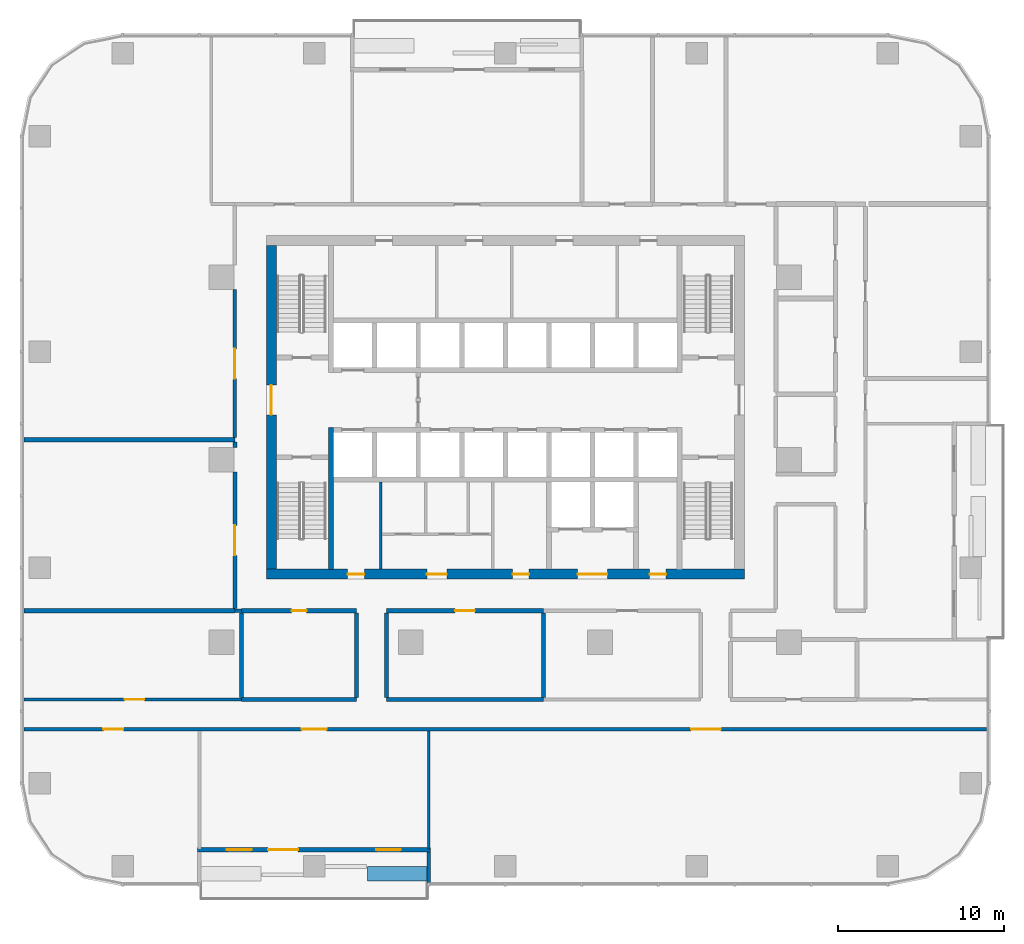
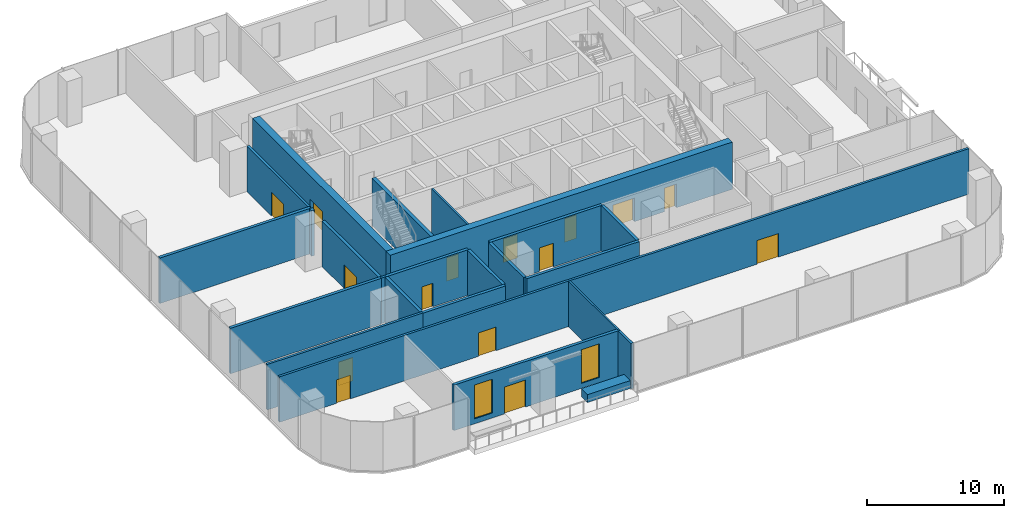
# One storey, part 7 of 14: 24 walls, 15 doors, 2 windows, 17 openings.
"""IFC4 building model written with IfcOpenShell, lengths in metres."""

from ifc_helpers import new_model, si_unit, direction, frame, frame_2d, origin, place, context, subcontext, project, spatial, rectangle, extrude, material, layer, layer_set, type_object, element, fill, save


model = new_model("IFC4")

# Units and contexts
model_context = context("Model", 3, precision=1e-05, world=origin(), true_north=direction((0.0, 1.0)))
body_context = subcontext(model_context, "Body", "Model", "MODEL_VIEW")
ifc_project = project(units=[si_unit("LENGTHUNIT", "METRE"), si_unit("AREAUNIT", "SQUARE_METRE"), si_unit("VOLUMEUNIT", "CUBIC_METRE"), si_unit("PLANEANGLEUNIT", "RADIAN"), si_unit("MASSUNIT", "GRAM", prefix="KILO")], contexts=[model_context])

# Site, building, storey
site_placement = place(None, origin())
site = spatial("IfcSite", under=ifc_project, at=site_placement, CompositionType="ELEMENT")
building_placement = place(site_placement, origin())
building = spatial("IfcBuilding", under=site, at=building_placement, Name="Mopane Tessera Tower", CompositionType="ELEMENT")
storey_placement = place(building_placement, frame((0.0, 0.0, 126.10009765625)))
storey = spatial("IfcBuildingStorey", under=building, at=storey_placement, Name="L25", CompositionType="ELEMENT", Elevation=126.10009765625)

# Wall
ifc_material_1 = material(Name="Fire-rated gypsum board partition")
ifc_layer_1 = layer(ifc_material_1, 0.14990234375)
ifc_layer_set_1 = layer_set([ifc_layer_1], Name="Fire-rated gypsum board partition")
wall_type_1 = type_object("IfcWallType", Name="Core room partition 150 mm", PredefinedType="PARTITIONING", material=ifc_layer_set_1)
wall_1_placement = place(storey_placement, frame((-7.5, -6.60009765625, 0.0), z_axis=(0.0, 0.0, 1.0), x_axis=(0.0, 1.0, 0.0)))
element("IfcWall", 1, at=wall_1_placement, inside=storey, type_object=wall_type_1, Name="L25 Room partition", PredefinedType="PARTITIONING", context=body_context, shape_type="SweptSolid", body=[
    extrude(rectangle(XDim=5.25, YDim=0.14990234375, at=frame_2d((2.625, 0.0))), origin(), (0.0, 0.0, 1.0), 4.199951171875),
])

# Wall, openings, doors
ifc_material_2 = material(Name="Concrete C70/85", Category="concrete")
ifc_layer_2 = layer(ifc_material_2, 0.60009765625)
ifc_layer_set_2 = layer_set([ifc_layer_2], Name="Concrete C70/85")
wall_type_2 = type_object("IfcWallType", Name="Core shear wall 600 mm", PredefinedType="SHEAR", material=ifc_layer_set_2)
wall_2_placement = place(storey_placement, frame((-14.39990234375, -6.89990234375, 0.0), z_axis=(0.0, 0.0, 1.0), x_axis=(1.0, 0.0, 0.0)))
wall_2 = element("IfcWall", 2, at=wall_2_placement, inside=storey, type_object=wall_type_2, Name="L25 Core wall south", PredefinedType="SHEAR", context=body_context, shape_type="SweptSolid", body=[
    extrude(rectangle(XDim=28.7998046875, YDim=0.60009765625, at=frame_2d((14.39990234375, 0.0))), origin(), (0.0, 0.0, 1.0), 4.199951171875),
])
opening_1_placement = place(wall_2_placement, frame((4.89990234375, 0.0, 0.0)))
opening_1 = element("IfcOpeningElement", 3, at=opening_1_placement, cuts=wall_2, Name="Opening RD1", PredefinedType="OPENING", context=body_context, shape_type="SweptSolid", body=[
    extrude(rectangle(XDim=1.0, YDim=2.10009765625, at=frame_2d((0.5, 1.050048828125))), frame((0.0, 0.31201171875, 0.0), z_axis=(0.0, -1.0, 0.0), x_axis=(1.0, 0.0, 0.0)), (0.0, 0.0, 1.0), 0.6240234375),
])
opening_2_placement = place(wall_2_placement, frame((9.675048828125, 0.0, 0.0)))
opening_2 = element("IfcOpeningElement", 4, at=opening_2_placement, cuts=wall_2, Name="Opening WD3", PredefinedType="OPENING", context=body_context, shape_type="SweptSolid", body=[
    extrude(rectangle(XDim=1.199951171875, YDim=2.10009765625, at=frame_2d((0.60009765625, 1.050048828125))), frame((0.0, 0.31201171875, 0.0), z_axis=(0.0, -1.0, 0.0), x_axis=(1.0, 0.0, 0.0)), (0.0, 0.0, 1.0), 0.6240234375),
])
opening_3_placement = place(wall_2_placement, frame((14.83740234375, 0.0, 0.0)))
opening_3 = element("IfcOpeningElement", 5, at=opening_3_placement, cuts=wall_2, Name="Opening RD1", PredefinedType="OPENING", context=body_context, shape_type="SweptSolid", body=[
    extrude(rectangle(XDim=1.0, YDim=2.10009765625, at=frame_2d((0.5, 1.050048828125))), frame((0.0, 0.31201171875, 0.0), z_axis=(0.0, -1.0, 0.0), x_axis=(1.0, 0.0, 0.0)), (0.0, 0.0, 1.0), 0.6240234375),
])
opening_4_placement = place(wall_2_placement, frame((18.75, 0.0, 0.0)))
opening_4 = element("IfcOpeningElement", 6, at=opening_4_placement, cuts=wall_2, Name="Opening SD2", PredefinedType="OPENING", context=body_context, shape_type="SweptSolid", body=[
    extrude(rectangle(XDim=1.800048828125, YDim=2.10009765625, at=frame_2d((0.89990234375, 1.050048828125))), frame((0.0, 0.31201171875, 0.0), z_axis=(0.0, -1.0, 0.0), x_axis=(1.0, 0.0, 0.0)), (0.0, 0.0, 1.0), 0.6240234375),
])
opening_5_placement = place(wall_2_placement, frame((23.08740234375, 0.0, 0.0)))
opening_5 = element("IfcOpeningElement", 7, at=opening_5_placement, cuts=wall_2, Name="Opening RD1", PredefinedType="OPENING", context=body_context, shape_type="SweptSolid", body=[
    extrude(rectangle(XDim=1.0, YDim=2.10009765625, at=frame_2d((0.5, 1.050048828125))), frame((0.0, 0.31201171875, 0.0), z_axis=(0.0, -1.0, 0.0), x_axis=(1.0, 0.0, 0.0)), (0.0, 0.0, 1.0), 0.6240234375),
])
ifc_material_3 = material(Name="Steel fire door", Category="steel")
door_type_1 = type_object("IfcDoorType", Name="Core entrance double door 1800 x 2100", OperationType="DOUBLE_DOOR_SINGLE_SWING", PredefinedType="DOOR", material=ifc_material_3)
door_1_placement = place(opening_4_placement, origin())
door_1 = element("IfcDoor", 8, at=door_1_placement, inside=storey, type_object=door_type_1, Name="L25 Service lobby door", OperationType="DOUBLE_DOOR_SINGLE_SWING", OverallHeight=2.10009765625, OverallWidth=1.800048828125, PredefinedType="DOOR", context=body_context, shape_type="SweptSolid", body=[
    extrude(rectangle(XDim=1.800048828125, YDim=2.10009765625, at=frame_2d((0.89990234375, 1.050048828125))), frame((0.0, 0.02490234375, 0.0), z_axis=(0.0, -1.0, 0.0), x_axis=(1.0, 0.0, 0.0)), (0.0, 0.0, 1.0), 0.050048828125),
])
fill(opening_4, door_1)
ifc_material_4 = material(Name="Timber door", Category="wood")
door_type_2 = type_object("IfcDoorType", Name="Core room door 1000 x 2100", OperationType="SINGLE_SWING_LEFT", PredefinedType="DOOR", material=ifc_material_4)
door_2_placement = place(opening_1_placement, origin())
door_2 = element("IfcDoor", 9, at=door_2_placement, inside=storey, type_object=door_type_2, Name="L25 Room door", OperationType="SINGLE_SWING_LEFT", OverallHeight=2.10009765625, OverallWidth=1.0, PredefinedType="DOOR", context=body_context, shape_type="SweptSolid", body=[
    extrude(rectangle(XDim=1.0, YDim=2.10009765625, at=frame_2d((0.5, 1.050048828125))), frame((0.0, 0.02490234375, 0.0), z_axis=(0.0, -1.0, 0.0), x_axis=(1.0, 0.0, 0.0)), (0.0, 0.0, 1.0), 0.050048828125),
])
fill(opening_1, door_2)
door_3_placement = place(opening_3_placement, origin())
door_3 = element("IfcDoor", 10, at=door_3_placement, inside=storey, type_object=door_type_2, Name="L25 Room door", OperationType="SINGLE_SWING_LEFT", OverallHeight=2.10009765625, OverallWidth=1.0, PredefinedType="DOOR", context=body_context, shape_type="SweptSolid", body=[
    extrude(rectangle(XDim=1.0, YDim=2.10009765625, at=frame_2d((0.5, 1.050048828125))), frame((0.0, 0.02490234375, 0.0), z_axis=(0.0, -1.0, 0.0), x_axis=(1.0, 0.0, 0.0)), (0.0, 0.0, 1.0), 0.050048828125),
])
fill(opening_3, door_3)
door_4_placement = place(opening_5_placement, origin())
door_4 = element("IfcDoor", 11, at=door_4_placement, inside=storey, type_object=door_type_2, Name="L25 Room door", OperationType="SINGLE_SWING_LEFT", OverallHeight=2.10009765625, OverallWidth=1.0, PredefinedType="DOOR", context=body_context, shape_type="SweptSolid", body=[
    extrude(rectangle(XDim=1.0, YDim=2.10009765625, at=frame_2d((0.5, 1.050048828125))), frame((0.0, 0.02490234375, 0.0), z_axis=(0.0, -1.0, 0.0), x_axis=(1.0, 0.0, 0.0)), (0.0, 0.0, 1.0), 0.050048828125),
])
fill(opening_5, door_4)
ifc_material_5 = material(Name="Timber door", Category="wood")
door_type_3 = type_object("IfcDoorType", Name="WC lobby door 1200 x 2100", OperationType="SINGLE_SWING_LEFT", PredefinedType="DOOR", material=ifc_material_5)
door_5_placement = place(opening_2_placement, origin())
door_5 = element("IfcDoor", 12, at=door_5_placement, inside=storey, type_object=door_type_3, Name="L25 WC lobby door", OperationType="SINGLE_SWING_LEFT", OverallHeight=2.10009765625, OverallWidth=1.199951171875, PredefinedType="DOOR", context=body_context, shape_type="SweptSolid", body=[
    extrude(rectangle(XDim=1.199951171875, YDim=2.10009765625, at=frame_2d((0.60009765625, 1.050048828125))), frame((0.0, 0.02490234375, 0.0), z_axis=(0.0, -1.0, 0.0), x_axis=(1.0, 0.0, 0.0)), (0.0, 0.0, 1.0), 0.050048828125),
])
fill(opening_2, door_5)

# Wall, opening, door
wall_3_placement = place(storey_placement, frame((-14.10009765625, -6.60009765625, 0.0), z_axis=(0.0, 0.0, 1.0), x_axis=(0.0, 1.0, 0.0)))
wall_3 = element("IfcWall", 13, at=wall_3_placement, inside=storey, type_object=wall_type_2, Name="L25 Core wall west", PredefinedType="SHEAR", context=body_context, shape_type="SweptSolid", body=[
    extrude(rectangle(XDim=19.5, YDim=0.60009765625, at=frame_2d((9.75, 0.0))), origin(), (0.0, 0.0, 1.0), 4.199951171875),
])
opening_6_placement = place(wall_3_placement, frame((9.300048828125, 0.0, 0.0)))
opening_6 = element("IfcOpeningElement", 14, at=opening_6_placement, cuts=wall_3, Name="Opening SD2", PredefinedType="OPENING", context=body_context, shape_type="SweptSolid", body=[
    extrude(rectangle(XDim=1.800048828125, YDim=2.10009765625, at=frame_2d((0.89990234375, 1.050048828125))), frame((0.0, 0.31201171875, 0.0), z_axis=(0.0, -1.0, 0.0), x_axis=(1.0, 0.0, 0.0)), (0.0, 0.0, 1.0), 0.6240234375),
])
door_6_placement = place(opening_6_placement, origin())
door_6 = element("IfcDoor", 15, at=door_6_placement, inside=storey, type_object=door_type_1, Name="L25 Core entrance door west", OperationType="DOUBLE_DOOR_SINGLE_SWING", OverallHeight=2.10009765625, OverallWidth=1.800048828125, PredefinedType="DOOR", context=body_context, shape_type="SweptSolid", body=[
    extrude(rectangle(XDim=1.800048828125, YDim=2.10009765625, at=frame_2d((0.89990234375, 1.050048828125))), frame((0.0, 0.02490234375, 0.0), z_axis=(0.0, -1.0, 0.0), x_axis=(1.0, 0.0, 0.0)), (0.0, 0.0, 1.0), 0.050048828125),
])
fill(opening_6, door_6)

# Wall
ifc_material_6 = material(Name="Concrete C60/75", Category="concrete")
ifc_layer_3 = layer(ifc_material_6, 0.300048828125)
ifc_layer_set_3 = layer_set([ifc_layer_3], Name="Concrete C60/75")
wall_type_3 = type_object("IfcWallType", Name="Core spine wall 300 mm", PredefinedType="SHEAR", material=ifc_layer_set_3)
wall_4_placement = place(storey_placement, frame((-10.5, -6.60009765625, 0.0), z_axis=(0.0, 0.0, 1.0), x_axis=(0.0, 1.0, 0.0)))
element("IfcWall", 16, at=wall_4_placement, inside=storey, type_object=wall_type_3, Name="L25 Core spine wall", PredefinedType="SHEAR", context=body_context, shape_type="SweptSolid", body=[
    extrude(rectangle(XDim=8.550048828125, YDim=0.300048828125, at=frame_2d((4.27490234375, 0.0))), origin(), (0.0, 0.0, 1.0), 4.199951171875),
])

# Wall, openings, doors
ifc_material_7 = material(Name="Gypsum board on steel studs, two layers each face, mineral wool infill", Category="steel")
ifc_layer_4 = layer(ifc_material_7, 0.199951171875)
ifc_layer_set_4 = layer_set([ifc_layer_4], Name="Gypsum board on steel studs, two layers each face, mineral wool infill")
wall_type_4 = type_object("IfcWallType", Name="Gypsum board corridor wall 200, rated EI 60", PredefinedType="PARTITIONING", material=ifc_layer_set_4)
wall_5_placement = place(storey_placement, frame((-29.0, -16.25, 0.0), z_axis=(0.0, 0.0, 1.0), x_axis=(1.0, 0.0, 0.0)))
wall_5 = element("IfcWall", 17, at=wall_5_placement, inside=storey, type_object=wall_type_4, Name="Partition L25:000", PredefinedType="PARTITIONING", context=body_context, shape_type="SweptSolid", body=[
    extrude(rectangle(XDim=58.0, YDim=0.199951171875, at=frame_2d((29.0, 0.0))), origin(), (0.0, 0.0, 1.0), 4.0498046875),
])
opening_7_placement = place(wall_5_placement, frame((16.72509765625, 0.0, 0.0)))
opening_7 = element("IfcOpeningElement", 18, at=opening_7_placement, cuts=wall_5, Name="Opening L25-02", PredefinedType="OPENING", context=body_context, shape_type="SweptSolid", body=[
    extrude(rectangle(XDim=1.5, YDim=2.10009765625, at=frame_2d((0.75, 1.050048828125))), frame((0.0, 0.112060546875, 0.0), z_axis=(0.0, -1.0, 0.0), x_axis=(1.0, 0.0, 0.0)), (0.0, 0.0, 1.0), 0.223876953125),
])
opening_8_placement = place(wall_5_placement, frame((4.780029296875, 0.0, 0.0)))
opening_8 = element("IfcOpeningElement", 19, at=opening_8_placement, cuts=wall_5, Name="Opening L25-05", PredefinedType="OPENING", context=body_context, shape_type="SweptSolid", body=[
    extrude(rectangle(XDim=1.199951171875, YDim=2.10009765625, at=frame_2d((0.60009765625, 1.050048828125))), frame((0.0, 0.112060546875, 0.0), z_axis=(0.0, -1.0, 0.0), x_axis=(1.0, 0.0, 0.0)), (0.0, 0.0, 1.0), 0.223876953125),
])
opening_9_placement = place(wall_5_placement, frame((40.195068359375, 0.0, 0.0)))
opening_9 = element("IfcOpeningElement", 20, at=opening_9_placement, cuts=wall_5, Name="Opening L25-10", PredefinedType="OPENING", context=body_context, shape_type="SweptSolid", body=[
    extrude(rectangle(XDim=1.800048828125, YDim=2.10009765625, at=frame_2d((0.89990234375, 1.050048828125))), frame((0.0, 0.112060546875, 0.0), z_axis=(0.0, -1.0, 0.0), x_axis=(1.0, 0.0, 0.0)), (0.0, 0.0, 1.0), 0.223876953125),
])
ifc_material_8 = material(Name="Timber veneered steel-framed fire door", Category="steel")
door_type_4 = type_object("IfcDoorType", Name="Fire door FD60 1200 x 2100", OperationType="SINGLE_SWING_LEFT", PredefinedType="DOOR", material=ifc_material_8)
door_7_placement = place(opening_8_placement, origin())
door_7 = element("IfcDoor", 21, at=door_7_placement, inside=storey, type_object=door_type_4, Name="Door L25-05", ObjectType="D15A", OperationType="SINGLE_SWING_LEFT", OverallHeight=2.10009765625, OverallWidth=1.199951171875, PredefinedType="DOOR", context=body_context, shape_type="SweptSolid", body=[
    extrude(rectangle(XDim=1.199951171875, YDim=2.10009765625, at=frame_2d((0.60009765625, 1.050048828125))), frame((0.0, 0.02490234375, 0.0), z_axis=(0.0, -1.0, 0.0), x_axis=(1.0, 0.0, 0.0)), (0.0, 0.0, 1.0), 0.050048828125),
])
fill(opening_8, door_7)
ifc_material_9 = material(Name="Timber veneered steel-framed fire door", Category="steel")
door_type_5 = type_object("IfcDoorType", Name="Fire door pair FD60 1500 x 2100", OperationType="DOUBLE_DOOR_SINGLE_SWING", PredefinedType="DOOR", material=ifc_material_9)
door_8_placement = place(opening_7_placement, origin())
door_8 = element("IfcDoor", 22, at=door_8_placement, inside=storey, type_object=door_type_5, Name="Door L25-02", ObjectType="D17A", OperationType="DOUBLE_DOOR_SINGLE_SWING", OverallHeight=2.10009765625, OverallWidth=1.5, PredefinedType="DOOR", context=body_context, shape_type="SweptSolid", body=[
    extrude(rectangle(XDim=1.5, YDim=2.10009765625, at=frame_2d((0.75, 1.050048828125))), frame((0.0, 0.02490234375, 0.0), z_axis=(0.0, -1.0, 0.0), x_axis=(1.0, 0.0, 0.0)), (0.0, 0.0, 1.0), 0.050048828125),
])
fill(opening_7, door_8)
ifc_material_10 = material(Name="Timber veneered steel-framed fire door", Category="steel")
door_type_6 = type_object("IfcDoorType", Name="Fire door pair FD60 1800 x 2100", OperationType="DOUBLE_DOOR_SINGLE_SWING", PredefinedType="DOOR", material=ifc_material_10)
door_9_placement = place(opening_9_placement, origin())
door_9 = element("IfcDoor", 23, at=door_9_placement, inside=storey, type_object=door_type_6, Name="Door L25-10", ObjectType="D20A", OperationType="DOUBLE_DOOR_SINGLE_SWING", OverallHeight=2.10009765625, OverallWidth=1.800048828125, PredefinedType="DOOR", context=body_context, shape_type="SweptSolid", body=[
    extrude(rectangle(XDim=1.800048828125, YDim=2.10009765625, at=frame_2d((0.89990234375, 1.050048828125))), frame((0.0, 0.02490234375, 0.0), z_axis=(0.0, -1.0, 0.0), x_axis=(1.0, 0.0, 0.0)), (0.0, 0.0, 1.0), 0.050048828125),
])
fill(opening_9, door_9)

# Wall, opening, door
wall_6_placement = place(storey_placement, frame((-29.0, -14.449951171875, 0.0), z_axis=(0.0, 0.0, 1.0), x_axis=(1.0, 0.0, 0.0)))
wall_6 = element("IfcWall", 24, at=wall_6_placement, inside=storey, type_object=wall_type_4, Name="Partition L25:001", PredefinedType="PARTITIONING", context=body_context, shape_type="SweptSolid", body=[
    extrude(rectangle(XDim=13.10009765625, YDim=0.199951171875, at=frame_2d((6.550048828125, 0.0))), origin(), (0.0, 0.0, 1.0), 4.0498046875),
])
opening_10_placement = place(wall_6_placement, frame((6.050048828125, 0.0, 0.0)))
opening_10 = element("IfcOpeningElement", 25, at=opening_10_placement, cuts=wall_6, Name="Opening L25-14", PredefinedType="OPENING", context=body_context, shape_type="SweptSolid", body=[
    extrude(rectangle(XDim=1.199951171875, YDim=2.10009765625, at=frame_2d((0.60009765625, 1.050048828125))), frame((0.0, 0.112060546875, 0.0), z_axis=(0.0, -1.0, 0.0), x_axis=(1.0, 0.0, 0.0)), (0.0, 0.0, 1.0), 0.223876953125),
])
door_10_placement = place(opening_10_placement, origin())
door_10 = element("IfcDoor", 26, at=door_10_placement, inside=storey, type_object=door_type_4, Name="Door L25-14", ObjectType="D15A", OperationType="SINGLE_SWING_LEFT", OverallHeight=2.10009765625, OverallWidth=1.199951171875, PredefinedType="DOOR", context=body_context, shape_type="SweptSolid", body=[
    extrude(rectangle(XDim=1.199951171875, YDim=2.10009765625, at=frame_2d((0.60009765625, 1.050048828125))), frame((0.0, 0.02490234375, 0.0), z_axis=(0.0, -1.0, 0.0), x_axis=(1.0, 0.0, 0.0)), (0.0, 0.0, 1.0), 0.050048828125),
])
fill(opening_10, door_10)

# Wall
wall_7_placement = place(storey_placement, frame((-16.300048828125, -9.10009765625, 0.0), z_axis=(0.0, 0.0, 1.0), x_axis=(1.0, 0.0, 0.0)))
element("IfcWall", 27, at=wall_7_placement, inside=storey, type_object=wall_type_4, Name="Partition L25:010", PredefinedType="PARTITIONING", context=body_context, shape_type="SweptSolid", body=[
    extrude(rectangle(XDim=0.400146484375, YDim=0.199951171875, at=frame_2d((0.2001953125, 0.0))), origin(), (0.0, 0.0, 1.0), 4.0498046875),
])

# Wall, opening, door
wall_8_placement = place(storey_placement, frame((-16.300048828125, 1.324951171875, 0.0), z_axis=(0.0, 0.0, 1.0), x_axis=(0.0, 1.0, 0.0)))
wall_8 = element("IfcWall", 28, at=wall_8_placement, inside=storey, type_object=wall_type_4, Name="Partition L25:034", PredefinedType="PARTITIONING", context=body_context, shape_type="SweptSolid", body=[
    extrude(rectangle(XDim=8.925048828125, YDim=0.199951171875, at=frame_2d((4.46240234375, 0.0))), origin(), (0.0, 0.0, 1.0), 4.0498046875),
])
opening_11_placement = place(wall_8_placement, frame((3.5625, 0.0, 0.0)))
opening_11 = element("IfcOpeningElement", 29, at=opening_11_placement, cuts=wall_8, Name="Opening L25-06", PredefinedType="OPENING", context=body_context, shape_type="SweptSolid", body=[
    extrude(rectangle(XDim=1.800048828125, YDim=2.10009765625, at=frame_2d((0.89990234375, 1.050048828125))), frame((0.0, 0.112060546875, 0.0), z_axis=(0.0, -1.0, 0.0), x_axis=(1.0, 0.0, 0.0)), (0.0, 0.0, 1.0), 0.223876953125),
])
door_11_placement = place(opening_11_placement, origin())
door_11 = element("IfcDoor", 30, at=door_11_placement, inside=storey, type_object=door_type_6, Name="Door L25-06", ObjectType="D20A", OperationType="DOUBLE_DOOR_SINGLE_SWING", OverallHeight=2.10009765625, OverallWidth=1.800048828125, PredefinedType="DOOR", context=body_context, shape_type="SweptSolid", body=[
    extrude(rectangle(XDim=1.800048828125, YDim=2.10009765625, at=frame_2d((0.89990234375, 1.050048828125))), frame((0.0, 0.02490234375, 0.0), z_axis=(0.0, -1.0, 0.0), x_axis=(1.0, 0.0, 0.0)), (0.0, 0.0, 1.0), 0.050048828125),
])
fill(opening_11, door_11)

# Walls
ifc_material_11 = material(Name="Gypsum board on steel studs, mineral wool infill", Category="steel")
ifc_layer_5 = layer(ifc_material_11, 0.14990234375)
ifc_layer_set_5 = layer_set([ifc_layer_5], Name="Gypsum board on steel studs, mineral wool infill")
wall_type_5 = type_object("IfcWallType", Name="Gypsum board partition 150, rated EI 60", PredefinedType="PARTITIONING", material=ifc_layer_set_5)
wall_9_placement = place(storey_placement, frame((-4.610107421875, -23.449951171875, 0.0), z_axis=(0.0, 0.0, 1.0), x_axis=(0.0, 1.0, 0.0)))
element("IfcWall", 31, at=wall_9_placement, inside=storey, type_object=wall_type_5, Name="Partition L25:042", PredefinedType="PARTITIONING", context=body_context, shape_type="SweptSolid", body=[
    extrude(rectangle(XDim=7.099853515625, YDim=0.14990234375, at=frame_2d((3.5498046875, 0.0))), origin(), (0.0, 0.0, 1.0), 4.0498046875),
])
ifc_material_12 = material(Name="Reinforced concrete C32/40 with waterproofing", Category="concrete")
ifc_layer_6 = layer(ifc_material_12, 0.89990234375)
ifc_layer_set_6 = layer_set([ifc_layer_6], Name="Reinforced concrete C32/40 with waterproofing")
wall_type_6 = type_object("IfcWallType", Name="Planter trough 3600 x 900", PredefinedType="STANDARD", material=ifc_layer_set_6)
wall_10_placement = place(storey_placement, frame((-8.31005859375, -24.949951171875, 0.0), z_axis=(0.0, 0.0, 1.0), x_axis=(1.0, 0.0, 0.0)))
element("IfcWall", 32, at=wall_10_placement, inside=storey, type_object=wall_type_6, Name="e:nw:L25:N2:pl1", PredefinedType="STANDARD", context=body_context, shape_type="SweptSolid", body=[
    extrude(rectangle(XDim=3.60009765625, YDim=0.89990234375, at=frame_2d((1.800048828125, 0.0))), origin(), (0.0, 0.0, 1.0), 0.699951171875),
])
ifc_material_13 = material(Name="Plastered concrete blockwork C20/25", Category="masonry")
ifc_layer_7 = layer(ifc_material_13, 0.25)
ifc_layer_set_7 = layer_set([ifc_layer_7], Name="Plastered concrete blockwork C20/25")
wall_type_7 = type_object("IfcWallType", Name="Plastered blockwork wall 250, rated EI 120", PredefinedType="PARTITIONING", material=ifc_layer_set_7)
wall_11_placement = place(storey_placement, frame((-15.89990234375, -14.449951171875, 0.0), z_axis=(0.0, 0.0, 1.0), x_axis=(1.0, 0.0, 0.0)))
element("IfcWall", 33, at=wall_11_placement, inside=storey, type_object=wall_type_7, Name="Partition L25:004", PredefinedType="PARTITIONING", context=body_context, shape_type="SweptSolid", body=[
    extrude(rectangle(XDim=6.934814453125, YDim=0.25, at=frame_2d((3.46728515625, 0.0))), origin(), (0.0, 0.0, 1.0), 4.0498046875),
])
wall_12_placement = place(storey_placement, frame((-7.1650390625, -14.449951171875, 0.0), z_axis=(0.0, 0.0, 1.0), x_axis=(1.0, 0.0, 0.0)))
element("IfcWall", 34, at=wall_12_placement, inside=storey, type_object=wall_type_7, Name="Partition L25:005", PredefinedType="PARTITIONING", context=body_context, shape_type="SweptSolid", body=[
    extrude(rectangle(XDim=9.465087890625, YDim=0.25, at=frame_2d((4.732421875, 0.0))), origin(), (0.0, 0.0, 1.0), 4.0498046875),
])
wall_13_placement = place(storey_placement, frame((-29.0, -9.10009765625, 0.0), z_axis=(0.0, 0.0, 1.0), x_axis=(1.0, 0.0, 0.0)))
element("IfcWall", 35, at=wall_13_placement, inside=storey, type_object=wall_type_7, Name="Partition L25:014", PredefinedType="PARTITIONING", context=body_context, shape_type="SweptSolid", body=[
    extrude(rectangle(XDim=12.699951171875, YDim=0.25, at=frame_2d((6.35009765625, 0.0))), origin(), (0.0, 0.0, 1.0), 4.0498046875),
])

# Wall, opening, door
wall_14_placement = place(storey_placement, frame((-15.89990234375, -9.10009765625, 0.0), z_axis=(0.0, 0.0, 1.0), x_axis=(1.0, 0.0, 0.0)))
wall_14 = element("IfcWall", 36, at=wall_14_placement, inside=storey, type_object=wall_type_7, Name="Partition L25:015", PredefinedType="PARTITIONING", context=body_context, shape_type="SweptSolid", body=[
    extrude(rectangle(XDim=6.934814453125, YDim=0.25, at=frame_2d((3.46728515625, 0.0))), origin(), (0.0, 0.0, 1.0), 4.0498046875),
])
opening_12_placement = place(wall_14_placement, frame((3.017578125, 0.0, 0.0)))
opening_12 = element("IfcOpeningElement", 37, at=opening_12_placement, cuts=wall_14, Name="Opening L25-19", PredefinedType="OPENING", context=body_context, shape_type="SweptSolid", body=[
    extrude(rectangle(XDim=0.89990234375, YDim=2.10009765625, at=frame_2d((0.449951171875, 1.050048828125))), frame((0.0, 0.136962890625, 0.0), z_axis=(0.0, -1.0, 0.0), x_axis=(1.0, 0.0, 0.0)), (0.0, 0.0, 1.0), 0.27392578125),
])
ifc_material_14 = material(Name="Timber veneered steel-framed fire door", Category="steel")
door_type_7 = type_object("IfcDoorType", Name="Fire door FD120 900 x 2100", OperationType="SINGLE_SWING_LEFT", PredefinedType="DOOR", material=ifc_material_14)
door_12_placement = place(opening_12_placement, origin())
door_12 = element("IfcDoor", 38, at=door_12_placement, inside=storey, type_object=door_type_7, Name="Door L25-19", ObjectType="D10B", OperationType="SINGLE_SWING_RIGHT", OverallHeight=2.10009765625, OverallWidth=0.89990234375, PredefinedType="DOOR", context=body_context, shape_type="SweptSolid", body=[
    extrude(rectangle(XDim=0.89990234375, YDim=2.10009765625, at=frame_2d((0.449951171875, 1.050048828125))), frame((0.0, 0.02490234375, 0.0), z_axis=(0.0, -1.0, 0.0), x_axis=(1.0, 0.0, 0.0)), (0.0, 0.0, 1.0), 0.050048828125),
])
fill(opening_12, door_12)

wall_15_placement = place(storey_placement, frame((-7.1650390625, -9.10009765625, 0.0), z_axis=(0.0, 0.0, 1.0), x_axis=(1.0, 0.0, 0.0)))
wall_15 = element("IfcWall", 39, at=wall_15_placement, inside=storey, type_object=wall_type_7, Name="Partition L25:016", PredefinedType="PARTITIONING", context=body_context, shape_type="SweptSolid", body=[
    extrude(rectangle(XDim=9.465087890625, YDim=0.25, at=frame_2d((4.732421875, 0.0))), origin(), (0.0, 0.0, 1.0), 4.0498046875),
])
opening_13_placement = place(wall_15_placement, frame((4.132568359375, 0.0, 0.0)))
opening_13 = element("IfcOpeningElement", 40, at=opening_13_placement, cuts=wall_15, Name="Opening L25-11", PredefinedType="OPENING", context=body_context, shape_type="SweptSolid", body=[
    extrude(rectangle(XDim=1.199951171875, YDim=2.10009765625, at=frame_2d((0.60009765625, 1.050048828125))), frame((0.0, 0.136962890625, 0.0), z_axis=(0.0, -1.0, 0.0), x_axis=(1.0, 0.0, 0.0)), (0.0, 0.0, 1.0), 0.27392578125),
])
ifc_material_15 = material(Name="Timber veneered steel-framed fire door", Category="steel")
door_type_8 = type_object("IfcDoorType", Name="Fire door FD120 1200 x 2100", OperationType="SINGLE_SWING_LEFT", PredefinedType="DOOR", material=ifc_material_15)
door_13_placement = place(opening_13_placement, origin())
door_13 = element("IfcDoor", 41, at=door_13_placement, inside=storey, type_object=door_type_8, Name="Door L25-11", ObjectType="D15B", OperationType="SINGLE_SWING_RIGHT", OverallHeight=2.10009765625, OverallWidth=1.199951171875, PredefinedType="DOOR", context=body_context, shape_type="SweptSolid", body=[
    extrude(rectangle(XDim=1.199951171875, YDim=2.10009765625, at=frame_2d((0.60009765625, 1.050048828125))), frame((0.0, 0.02490234375, 0.0), z_axis=(0.0, -1.0, 0.0), x_axis=(1.0, 0.0, 0.0)), (0.0, 0.0, 1.0), 0.050048828125),
])
fill(opening_13, door_13)

# Wall
wall_16_placement = place(storey_placement, frame((-29.0, 1.199951171875, 0.0), z_axis=(0.0, 0.0, 1.0), x_axis=(1.0, 0.0, 0.0)))
element("IfcWall", 42, at=wall_16_placement, inside=storey, type_object=wall_type_7, Name="Partition L25:019", PredefinedType="PARTITIONING", context=body_context, shape_type="SweptSolid", body=[
    extrude(rectangle(XDim=12.699951171875, YDim=0.25, at=frame_2d((6.35009765625, 0.0))), origin(), (0.0, 0.0, 1.0), 4.0498046875),
])

# Wall, opening, door
wall_17_placement = place(storey_placement, frame((-16.300048828125, -8.97509765625, 0.0), z_axis=(0.0, 0.0, 1.0), x_axis=(0.0, 1.0, 0.0)))
wall_17 = element("IfcWall", 43, at=wall_17_placement, inside=storey, type_object=wall_type_7, Name="Partition L25:036", PredefinedType="PARTITIONING", context=body_context, shape_type="SweptSolid", body=[
    extrude(rectangle(XDim=8.22509765625, YDim=0.25, at=frame_2d((4.112548828125, 0.0))), origin(), (0.0, 0.0, 1.0), 4.0498046875),
])
opening_14_placement = place(wall_17_placement, frame((3.21240234375, 0.0, 0.0)))
opening_14 = element("IfcOpeningElement", 44, at=opening_14_placement, cuts=wall_17, Name="Opening L25-07", PredefinedType="OPENING", context=body_context, shape_type="SweptSolid", body=[
    extrude(rectangle(XDim=1.800048828125, YDim=2.10009765625, at=frame_2d((0.89990234375, 1.050048828125))), frame((0.0, 0.136962890625, 0.0), z_axis=(0.0, -1.0, 0.0), x_axis=(1.0, 0.0, 0.0)), (0.0, 0.0, 1.0), 0.27392578125),
])
ifc_material_16 = material(Name="Timber veneered steel-framed fire door", Category="steel")
door_type_9 = type_object("IfcDoorType", Name="Fire door pair FD120 1800 x 2100", OperationType="DOUBLE_DOOR_SINGLE_SWING", PredefinedType="DOOR", material=ifc_material_16)
door_14_placement = place(opening_14_placement, origin())
door_14 = element("IfcDoor", 45, at=door_14_placement, inside=storey, type_object=door_type_9, Name="Door L25-07", ObjectType="D20B", OperationType="DOUBLE_DOOR_SINGLE_SWING", OverallHeight=2.10009765625, OverallWidth=1.800048828125, PredefinedType="DOOR", context=body_context, shape_type="SweptSolid", body=[
    extrude(rectangle(XDim=1.800048828125, YDim=2.10009765625, at=frame_2d((0.89990234375, 1.050048828125))), frame((0.0, 0.02490234375, 0.0), z_axis=(0.0, -1.0, 0.0), x_axis=(1.0, 0.0, 0.0)), (0.0, 0.0, 1.0), 0.050048828125),
])
fill(opening_14, door_14)

# Walls
wall_18_placement = place(storey_placement, frame((-16.300048828125, 0.75, 0.0), z_axis=(0.0, 0.0, 1.0), x_axis=(0.0, 1.0, 0.0)))
element("IfcWall", 46, at=wall_18_placement, inside=storey, type_object=wall_type_7, Name="Partition L25:037", PredefinedType="PARTITIONING", context=body_context, shape_type="SweptSolid", body=[
    extrude(rectangle(XDim=0.324951171875, YDim=0.25, at=frame_2d((0.16259765625, 0.0))), origin(), (0.0, 0.0, 1.0), 4.0498046875),
])
for number, where, z_axis, x_axis, name in (
    (47, (-15.89990234375, -14.324951171875, 0.0), (0.0, 0.0, 1.0), (0.0, 1.0, 0.0), "Partition L25:038"),
    (48, (-8.965087890625, -14.324951171875, 0.0), (0.0, 0.0, 1.0), (0.0, 1.0, 0.0), "Partition L25:040"),
    (49, (-7.1650390625, -14.324951171875, 0.0), (0.0, 0.0, 1.0), (0.0, 1.0, 0.0), "Partition L25:041"),
    (50, (2.300048828125, -14.324951171875, 0.0), (0.0, 0.0, 1.0), (0.0, 1.0, 0.0), "Partition L25:043"),
):
    element("IfcWall", number, at=place(storey_placement, frame(where, z_axis=z_axis, x_axis=x_axis)), inside=storey, type_object=wall_type_7, Name=name, PredefinedType="PARTITIONING", context=body_context, shape_type="SweptSolid", body=[
        extrude(rectangle(XDim=5.099853515625, YDim=0.25, at=frame_2d((2.5498046875, 0.0))), origin(), (0.0, 0.0, 1.0), 4.0498046875),
    ])
ifc_material_17 = material(Name="Blockwork with glazed tile facing", Category="masonry")
ifc_layer_8 = layer(ifc_material_17, 0.199951171875)
ifc_layer_set_8 = layer_set([ifc_layer_8], Name="Blockwork with glazed tile facing")
wall_type_8 = type_object("IfcWallType", Name="Terrace cheek wall 200", PredefinedType="STANDARD", material=ifc_layer_set_8)
wall_19_placement = place(storey_placement, frame((-4.610107421875, -25.5, 0.0), z_axis=(0.0, 0.0, 1.0), x_axis=(0.0, 1.0, 0.0)))
element("IfcWall", 51, at=wall_19_placement, inside=storey, type_object=wall_type_8, Name="e:nw:L25:N2:cheekb", PredefinedType="STANDARD", context=body_context, shape_type="SweptSolid", body=[
    extrude(rectangle(XDim=1.875, YDim=0.199951171875, at=frame_2d((0.9375, 0.0))), origin(), (0.0, 0.0, 1.0), 4.0498046875),
])

# Wall, openings, windows, door
ifc_material_18 = material(Name="Blockwork with ultramarine glazed tile facing", Category="masonry")
ifc_layer_9 = layer(ifc_material_18, 0.25)
ifc_layer_set_9 = layer_set([ifc_layer_9], Name="Blockwork with ultramarine glazed tile facing")
wall_type_9 = type_object("IfcWallType", Name="Tile-clad external wall 250, ultramarine", PredefinedType="STANDARD", material=ifc_layer_set_9)
wall_20_placement = place(storey_placement, frame((-18.5400390625, -23.5, 0.0), z_axis=(0.0, 0.0, 1.0), x_axis=(1.0, 0.0, 0.0)))
wall_20 = element("IfcWall", 52, at=wall_20_placement, inside=storey, type_object=wall_type_9, Name="e:nw:L25:N2:back", PredefinedType="STANDARD", context=body_context, shape_type="SweptSolid", body=[
    extrude(rectangle(XDim=14.030029296875, YDim=0.25, at=frame_2d((7.01513671875, 0.0))), origin(), (0.0, 0.0, 1.0), 4.0498046875),
])
opening_15_placement = place(wall_20_placement, frame((1.75, 0.0, 0.449951171875)))
opening_15 = element("IfcOpeningElement", 53, at=opening_15_placement, cuts=wall_20, Name="Opening NW252A", PredefinedType="OPENING", context=body_context, shape_type="SweptSolid", body=[
    extrude(rectangle(XDim=1.5, YDim=3.0, at=frame_2d((0.75, 1.5))), frame((0.0, 0.136962890625, 0.0), z_axis=(0.0, -1.0, 0.0), x_axis=(1.0, 0.0, 0.0)), (0.0, 0.0, 1.0), 0.27392578125),
])
opening_16_placement = place(wall_20_placement, frame((4.25, 0.0, 0.0)))
opening_16 = element("IfcOpeningElement", 54, at=opening_16_placement, cuts=wall_20, Name="Opening ND252", PredefinedType="OPENING", context=body_context, shape_type="SweptSolid", body=[
    extrude(rectangle(XDim=1.800048828125, YDim=2.39990234375, at=frame_2d((0.89990234375, 1.199951171875))), frame((0.0, 0.136962890625, 0.0), z_axis=(0.0, -1.0, 0.0), x_axis=(1.0, 0.0, 0.0)), (0.0, 0.0, 1.0), 0.27392578125),
])
opening_17_placement = place(wall_20_placement, frame((10.75, 0.0, 0.449951171875)))
opening_17 = element("IfcOpeningElement", 55, at=opening_17_placement, cuts=wall_20, Name="Opening NW252B", PredefinedType="OPENING", context=body_context, shape_type="SweptSolid", body=[
    extrude(rectangle(XDim=1.5, YDim=3.0, at=frame_2d((0.75, 1.5))), frame((0.0, 0.136962890625, 0.0), z_axis=(0.0, -1.0, 0.0), x_axis=(1.0, 0.0, 0.0)), (0.0, 0.0, 1.0), 0.27392578125),
])
ifc_material_19 = material(Name="Clear laminated glass", Category="glass")
window_type = type_object("IfcWindowType", Name="Fixed window 1500 x 3000", PartitioningType="SINGLE_PANEL", PredefinedType="WINDOW", material=ifc_material_19)
window_1_placement = place(opening_15_placement, origin())
window_1 = element("IfcWindow", 56, at=window_1_placement, inside=storey, type_object=window_type, Name="e:nw:L25:N2:win0", OverallHeight=3.0, OverallWidth=1.5, PartitioningType="SINGLE_PANEL", PredefinedType="WINDOW", context=body_context, shape_type="SweptSolid", body=[
    extrude(rectangle(XDim=1.5, YDim=3.0, at=frame_2d((0.75, 1.5))), frame((0.0, 0.030029296875, 0.0), z_axis=(0.0, -1.0, 0.0), x_axis=(1.0, 0.0, 0.0)), (0.0, 0.0, 1.0), 0.06005859375),
])
fill(opening_15, window_1)
window_2_placement = place(opening_17_placement, origin())
window_2 = element("IfcWindow", 57, at=window_2_placement, inside=storey, type_object=window_type, Name="e:nw:L25:N2:win2", OverallHeight=3.0, OverallWidth=1.5, PartitioningType="SINGLE_PANEL", PredefinedType="WINDOW", context=body_context, shape_type="SweptSolid", body=[
    extrude(rectangle(XDim=1.5, YDim=3.0, at=frame_2d((0.75, 1.5))), frame((0.0, 0.030029296875, 0.0), z_axis=(0.0, -1.0, 0.0), x_axis=(1.0, 0.0, 0.0)), (0.0, 0.0, 1.0), 0.06005859375),
])
fill(opening_17, window_2)
ifc_material_20 = material(Name="Aluminium and clear glass", Category="aluminium")
door_type_10 = type_object("IfcDoorType", Name="Terrace double door 1800 x 2400", OperationType="DOUBLE_DOOR_SINGLE_SWING", PredefinedType="DOOR", material=ifc_material_20)
door_15_placement = place(opening_16_placement, origin())
door_15 = element("IfcDoor", 58, at=door_15_placement, inside=storey, type_object=door_type_10, Name="e:nw:L25:N2:door", ObjectType="D1", OperationType="DOUBLE_DOOR_SINGLE_SWING", OverallHeight=2.39990234375, OverallWidth=1.800048828125, PredefinedType="DOOR", context=body_context, shape_type="SweptSolid", body=[
    extrude(rectangle(XDim=1.800048828125, YDim=2.39990234375, at=frame_2d((0.89990234375, 1.199951171875))), frame((0.0, 0.02490234375, 0.0), z_axis=(0.0, -1.0, 0.0), x_axis=(1.0, 0.0, 0.0)), (0.0, 0.0, 1.0), 0.050048828125),
])
fill(opening_16, door_15)

save(model, "model.ifc")
